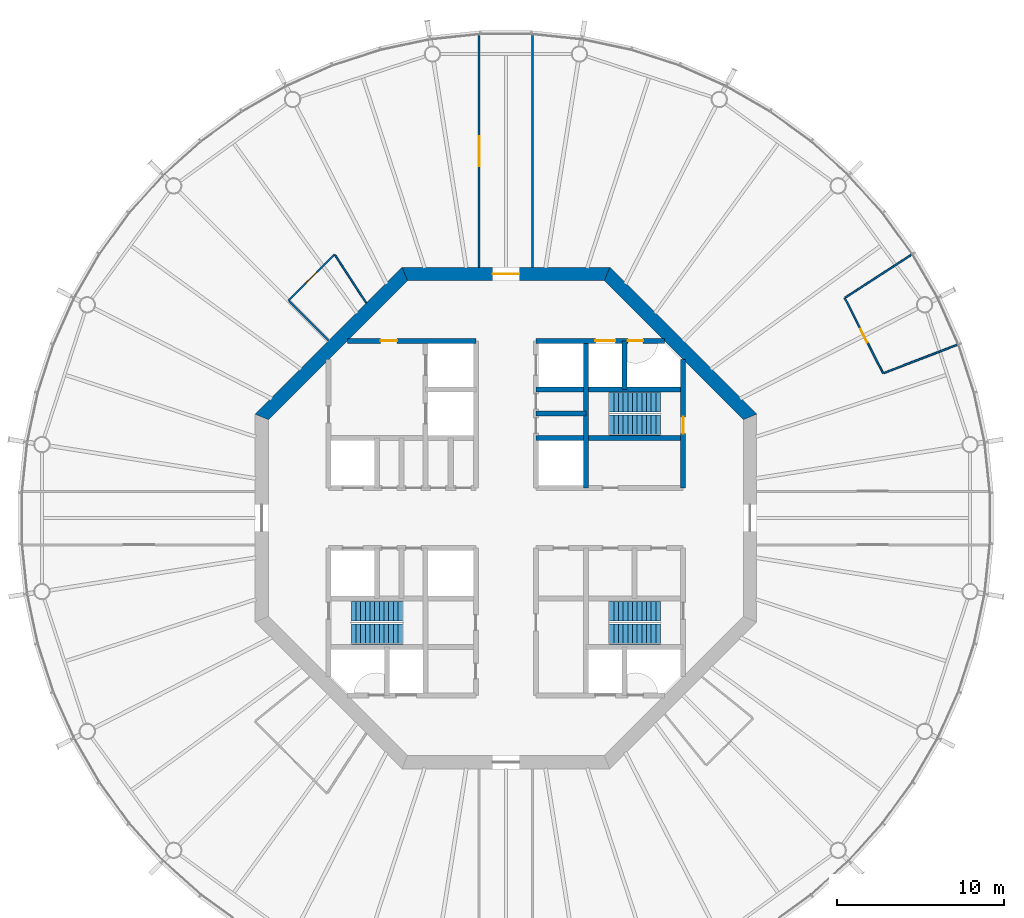
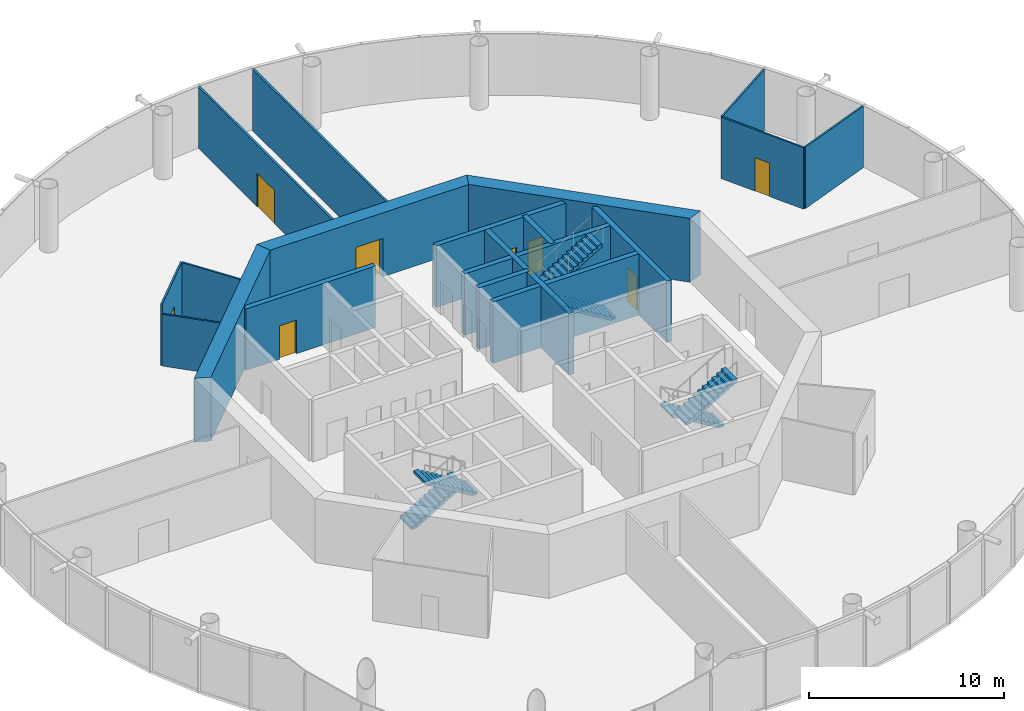
# One storey, part 5 of 16: 19 walls, 8 doors, 6 stair flights, 8 openings, 3 elements without a shape of their own.
"""IFC4 building model written with IfcOpenShell, lengths in metres."""

from ifc_helpers import new_model, si_unit, direction, frame, frame_2d, origin, place, context, subcontext, project, spatial, polyline, rectangle, outline, extrude, material, layer, layer_set, type_object, element, fill, aggregate, save


model = new_model("IFC4")

# Units and contexts
model_context = context("Model", 3, precision=1e-05, world=origin(), true_north=direction((0.0, 1.0)))
body_context = subcontext(model_context, "Body", "Model", "MODEL_VIEW")
ifc_project = project(units=[si_unit("LENGTHUNIT", "METRE"), si_unit("AREAUNIT", "SQUARE_METRE"), si_unit("VOLUMEUNIT", "CUBIC_METRE"), si_unit("PLANEANGLEUNIT", "RADIAN"), si_unit("MASSUNIT", "GRAM", prefix="KILO")], contexts=[model_context])

# Site, building, storey
site_placement = place(None, origin())
site = spatial("IfcSite", under=ifc_project, at=site_placement, CompositionType="ELEMENT")
building_placement = place(site_placement, origin())
building = spatial("IfcBuilding", under=site, at=building_placement, Name="Entoto Ring Tower", CompositionType="ELEMENT")
storey_placement = place(building_placement, frame((0.0, 0.0, 326.0)))
storey = spatial("IfcBuildingStorey", under=building, at=storey_placement, Name="L75", CompositionType="ELEMENT", Elevation=326.0)

# Wall, opening, door
ifc_material_1 = material(Name="Concrete C40/50", Category="concrete")
ifc_layer_1 = layer(ifc_material_1, 0.300048828125)
ifc_layer_set_1 = layer_set([ifc_layer_1], Name="Concrete C40/50")
wall_type_1 = type_object("IfcWallType", Name="Core enclosure wall 300 mm reinforced concrete", PredefinedType="SOLIDWALL", material=ifc_layer_set_1)
wall_1_placement = place(storey_placement, frame((100.60009765625, 81.800048828125, 0.0), z_axis=(0.0, 0.0, 1.0), x_axis=(0.0, 1.0, 0.0)))
wall_1 = element("IfcWall", 1, at=wall_1_placement, inside=storey, type_object=wall_type_1, Name="wall-L75-002", PredefinedType="SOLIDWALL", context=body_context, shape_type="SweptSolid", body=[
    extrude(rectangle(XDim=7.681640625, YDim=0.300048828125, at=frame_2d((3.8408203125, 0.0))), origin(), (0.0, 0.0, 1.0), 3.85009765625),
])
opening_1_placement = place(wall_1_placement, frame((3.25, 0.0, 0.0)))
opening_1 = element("IfcOpeningElement", 2, at=opening_1_placement, cuts=wall_1, Name="Opening K-26", PredefinedType="OPENING", context=body_context, shape_type="SweptSolid", body=[
    extrude(rectangle(XDim=1.0, YDim=2.10009765625, at=frame_2d((0.5, 1.050048828125))), frame((0.0, 0.16015625, 0.0), z_axis=(0.0, -1.0, 0.0), x_axis=(1.0, 0.0, 0.0)), (0.0, 0.0, 1.0), 0.320068359375),
])
ifc_material_2 = material(Name="Steel door leaf, fire rated", Category="steel")
ifc_layer_2 = layer(ifc_material_2, 0.050048828125)
ifc_layer_set_2 = layer_set([ifc_layer_2], Name="Steel door leaf, fire rated")
door_type_1 = type_object("IfcDoorType", Name="Fire door FD60 1000 x 2100 single leaf", OperationType="NOTDEFINED", PredefinedType="DOOR", material=ifc_layer_set_2)
door_1_placement = place(opening_1_placement, origin())
door_1 = element("IfcDoor", 3, at=door_1_placement, inside=storey, type_object=door_type_1, Name="Door K-26", OperationType="SINGLE_SWING_LEFT", OverallHeight=2.10009765625, OverallWidth=1.0, PredefinedType="DOOR", context=body_context, shape_type="SweptSolid", body=[
    extrude(rectangle(XDim=1.0, YDim=2.10009765625, at=frame_2d((0.5, 1.050048828125))), frame((0.0, 0.02490234375, 0.0), z_axis=(0.0, -1.0, 0.0), x_axis=(1.0, 0.0, 0.0)), (0.0, 0.0, 1.0), 0.050048828125),
])
fill(opening_1, door_1)

# Walls
wall_2_placement = place(storey_placement, frame((97.10009765625, 87.699951171875, 0.0), z_axis=(0.0, 0.0, 1.0), x_axis=(0.0, 1.0, 0.0)))
element("IfcWall", 4, at=wall_2_placement, inside=storey, type_object=wall_type_1, Name="wall-L75-005", PredefinedType="SOLIDWALL", context=body_context, shape_type="SweptSolid", body=[
    extrude(rectangle(XDim=2.900146484375, YDim=0.300048828125, at=frame_2d((1.4501953125, 0.0))), origin(), (0.0, 0.0, 1.0), 3.85009765625),
])
for number, where, z_axis, x_axis, name in (
    (5, (94.800048828125, 81.800048828125, 0.0), (0.0, 0.0, 1.0), (0.0, 1.0, 0.0), "wall-L75-007"),
    (6, (91.800048828125, 84.800048828125, 0.0), (0.0, 0.0, 1.0), (1.0, 0.0, 0.0), "wall-L75-033"),
):
    element("IfcWall", number, at=place(storey_placement, frame(where, z_axis=z_axis, x_axis=x_axis)), inside=storey, type_object=wall_type_1, Name=name, PredefinedType="SOLIDWALL", context=body_context, shape_type="SweptSolid", body=[
        extrude(rectangle(XDim=8.800048828125, YDim=0.300048828125, at=frame_2d((4.39990234375, 0.0))), origin(), (0.0, 0.0, 1.0), 3.85009765625),
    ])
wall_3_placement = place(storey_placement, frame((91.800048828125, 86.25, 0.0), z_axis=(0.0, 0.0, 1.0), x_axis=(1.0, 0.0, 0.0)))
element("IfcWall", 7, at=wall_3_placement, inside=storey, type_object=wall_type_1, Name="wall-L75-034", PredefinedType="SOLIDWALL", context=body_context, shape_type="SweptSolid", body=[
    extrude(rectangle(XDim=3.0, YDim=0.300048828125, at=frame_2d((1.5, 0.0))), origin(), (0.0, 0.0, 1.0), 3.85009765625),
])
wall_4_placement = place(storey_placement, frame((91.800048828125, 87.699951171875, 0.0), z_axis=(0.0, 0.0, 1.0), x_axis=(1.0, 0.0, 0.0)))
element("IfcWall", 8, at=wall_4_placement, inside=storey, type_object=wall_type_1, Name="wall-L75-036", PredefinedType="SOLIDWALL", context=body_context, shape_type="SweptSolid", body=[
    extrude(rectangle(XDim=8.800048828125, YDim=0.300048828125, at=frame_2d((4.39990234375, 0.0))), origin(), (0.0, 0.0, 1.0), 3.85009765625),
])

# Wall, opening, door
wall_5_placement = place(storey_placement, frame((80.518310546875, 90.60009765625, 0.0), z_axis=(0.0, 0.0, 1.0), x_axis=(1.0, 0.0, 0.0)))
wall_5 = element("IfcWall", 9, at=wall_5_placement, inside=storey, type_object=wall_type_1, Name="wall-L75-037", PredefinedType="SOLIDWALL", context=body_context, shape_type="SweptSolid", body=[
    extrude(rectangle(XDim=7.681640625, YDim=0.300048828125, at=frame_2d((3.8408203125, 0.0))), origin(), (0.0, 0.0, 1.0), 3.85009765625),
])
opening_2_placement = place(wall_5_placement, frame((1.981689453125, 0.0, 0.0)))
opening_2 = element("IfcOpeningElement", 10, at=opening_2_placement, cuts=wall_5, Name="Opening K-87", PredefinedType="OPENING", context=body_context, shape_type="SweptSolid", body=[
    extrude(rectangle(XDim=1.0, YDim=2.10009765625, at=frame_2d((0.5, 1.050048828125))), frame((0.0, 0.16015625, 0.0), z_axis=(0.0, -1.0, 0.0), x_axis=(1.0, 0.0, 0.0)), (0.0, 0.0, 1.0), 0.320068359375),
])
door_2_placement = place(opening_2_placement, frame((1.0, 0.0, 0.0), z_axis=(0.0, 0.0, 1.0), x_axis=(-1.0, 0.0, 0.0)))
door_2 = element("IfcDoor", 11, at=door_2_placement, inside=storey, type_object=door_type_1, Name="Door K-87", OperationType="SINGLE_SWING_LEFT", OverallHeight=2.10009765625, OverallWidth=1.0, PredefinedType="DOOR", context=body_context, shape_type="SweptSolid", body=[
    extrude(rectangle(XDim=1.0, YDim=2.10009765625, at=frame_2d((0.5, 1.050048828125))), frame((0.0, 0.02490234375, 0.0), z_axis=(0.0, -1.0, 0.0), x_axis=(1.0, 0.0, 0.0)), (0.0, 0.0, 1.0), 0.050048828125),
])
fill(opening_2, door_2)

# Wall, openings, doors
wall_6_placement = place(storey_placement, frame((91.800048828125, 90.60009765625, 0.0), z_axis=(0.0, 0.0, 1.0), x_axis=(1.0, 0.0, 0.0)))
wall_6 = element("IfcWall", 12, at=wall_6_placement, inside=storey, type_object=wall_type_1, Name="wall-L75-038", PredefinedType="SOLIDWALL", context=body_context, shape_type="SweptSolid", body=[
    extrude(rectangle(XDim=7.681640625, YDim=0.300048828125, at=frame_2d((3.8408203125, 0.0))), origin(), (0.0, 0.0, 1.0), 3.85009765625),
])
opening_3_placement = place(wall_6_placement, frame((3.550048828125, 0.0, 0.0)))
opening_3 = element("IfcOpeningElement", 13, at=opening_3_placement, cuts=wall_6, Name="Opening LD", PredefinedType="OPENING", context=body_context, shape_type="SweptSolid", body=[
    extrude(rectangle(XDim=1.199951171875, YDim=2.10009765625, at=frame_2d((0.60009765625, 1.050048828125))), frame((0.0, 0.16015625, 0.0), z_axis=(0.0, -1.0, 0.0), x_axis=(1.0, 0.0, 0.0)), (0.0, 0.0, 1.0), 0.320068359375),
])
opening_4_placement = place(wall_6_placement, frame((5.5, 0.0, 0.0)))
opening_4 = element("IfcOpeningElement", 14, at=opening_4_placement, cuts=wall_6, Name="Opening K-83", PredefinedType="OPENING", context=body_context, shape_type="SweptSolid", body=[
    extrude(rectangle(XDim=0.89990234375, YDim=2.10009765625, at=frame_2d((0.449951171875, 1.050048828125))), frame((0.0, 0.16015625, 0.0), z_axis=(0.0, -1.0, 0.0), x_axis=(1.0, 0.0, 0.0)), (0.0, 0.0, 1.0), 0.320068359375),
])
ifc_material_3 = material(Name="Steel and glass door leaf", Category="steel")
ifc_layer_3 = layer(ifc_material_3, 0.050048828125)
ifc_layer_set_3 = layer_set([ifc_layer_3], Name="Steel and glass door leaf")
door_type_2 = type_object("IfcDoorType", Name="Landing door 1200 x 2100 sliding", OperationType="DOUBLE_DOOR_SLIDING", PredefinedType="DOOR", material=ifc_layer_set_3)
door_3_placement = place(opening_3_placement, origin())
door_3 = element("IfcDoor", 15, at=door_3_placement, inside=storey, type_object=door_type_2, Name="Landing door LB1-HR", OperationType="SLIDING_TO_RIGHT", OverallHeight=2.10009765625, OverallWidth=1.199951171875, PredefinedType="DOOR", context=body_context, shape_type="SweptSolid", body=[
    extrude(rectangle(XDim=1.199951171875, YDim=2.10009765625, at=frame_2d((0.60009765625, 1.050048828125))), frame((0.0, 0.02490234375, 0.0), z_axis=(0.0, -1.0, 0.0), x_axis=(1.0, 0.0, 0.0)), (0.0, 0.0, 1.0), 0.050048828125),
])
fill(opening_3, door_3)
ifc_material_4 = material(Name="Steel door leaf, fire rated", Category="steel")
ifc_layer_4 = layer(ifc_material_4, 0.050048828125)
ifc_layer_set_4 = layer_set([ifc_layer_4], Name="Steel door leaf, fire rated")
door_type_3 = type_object("IfcDoorType", Name="Riser door FD60 900 x 2100 single leaf", OperationType="NOTDEFINED", PredefinedType="DOOR", material=ifc_layer_set_4)
door_4_placement = place(opening_4_placement, frame((0.89990234375, 0.0, 0.0), z_axis=(0.0, 0.0, 1.0), x_axis=(-1.0, 0.0, 0.0)))
door_4 = element("IfcDoor", 16, at=door_4_placement, inside=storey, type_object=door_type_3, Name="Door K-83", OperationType="SINGLE_SWING_RIGHT", OverallHeight=2.10009765625, OverallWidth=0.89990234375, PredefinedType="DOOR", context=body_context, shape_type="SweptSolid", body=[
    extrude(rectangle(XDim=0.89990234375, YDim=2.10009765625, at=frame_2d((0.449951171875, 1.050048828125))), frame((0.0, 0.02490234375, 0.0), z_axis=(0.0, -1.0, 0.0), x_axis=(1.0, 0.0, 0.0)), (0.0, 0.0, 1.0), 0.050048828125),
])
fill(opening_4, door_4)

# Wall
ifc_material_5 = material(Name="Concrete C40/50", Category="concrete")
ifc_layer_5 = layer(ifc_material_5, 0.800048828125)
ifc_layer_set_5 = layer_set([ifc_layer_5], Name="Concrete C40/50")
wall_type_2 = type_object("IfcWallType", Name="Core shear wall 800 mm reinforced concrete C40/50", PredefinedType="SHEAR", material=ifc_layer_set_5)
wall_7_placement = place(storey_placement, frame((104.60009765625, 86.047607421875, 0.0), z_axis=(0.0, 0.0, 1.0), x_axis=(-0.707106781187, 0.707106781187, 0.0)))
element("IfcWall", 17, at=wall_7_placement, inside=storey, type_object=wall_type_2, Name="wall-L75-core-1", PredefinedType="SHEAR", context=body_context, shape_type="SweptSolid", body=[
    extrude(outline(polyline([(-0.165771484375, -0.39990234375), (12.2607421875, -0.39990234375), (11.92919921875, 0.39990234375), (0.165771484375, 0.39990234375), (-0.165771484375, -0.39990234375)])), origin(), (0.0, 0.0, 1.0), 4.0),
])

# Wall, opening, door
wall_8_placement = place(storey_placement, frame((96.047607421875, 94.60009765625, 0.0), z_axis=(0.0, 0.0, 1.0), x_axis=(-1.0, 0.0, 0.0)))
wall_8 = element("IfcWall", 18, at=wall_8_placement, inside=storey, type_object=wall_type_2, Name="wall-L75-core-2", PredefinedType="SHEAR", context=body_context, shape_type="SweptSolid", body=[
    extrude(outline(polyline([(-0.165771484375, -0.39990234375), (12.260986328125, -0.39990234375), (11.929443359375, 0.39990234375), (0.165771484375, 0.39990234375), (-0.165771484375, -0.39990234375)])), origin(), (0.0, 0.0, 1.0), 4.0),
])
opening_5_placement = place(wall_8_placement, frame((5.24755859375, 0.0, 0.0)))
opening_5 = element("IfcOpeningElement", 19, at=opening_5_placement, cuts=wall_8, Name="Opening K-02", PredefinedType="OPENING", context=body_context, shape_type="SweptSolid", body=[
    extrude(rectangle(XDim=1.60009765625, YDim=2.39990234375, at=frame_2d((0.800048828125, 1.199951171875))), frame((0.0, 0.41015625, 0.0), z_axis=(0.0, -1.0, 0.0), x_axis=(1.0, 0.0, 0.0)), (0.0, 0.0, 1.0), 0.820068359375),
])
ifc_material_6 = material(Name="Steel door leaf, fire rated", Category="steel")
ifc_layer_6 = layer(ifc_material_6, 0.050048828125)
ifc_layer_set_6 = layer_set([ifc_layer_6], Name="Steel door leaf, fire rated")
door_type_4 = type_object("IfcDoorType", Name="Entrance door FD60 1600 x 2400 double leaf", OperationType="DOUBLE_DOOR_SINGLE_SWING", PredefinedType="DOOR", material=ifc_layer_set_6)
door_5_placement = place(opening_5_placement, origin())
door_5 = element("IfcDoor", 20, at=door_5_placement, inside=storey, type_object=door_type_4, Name="Entrance door K-02", OperationType="DOUBLE_DOOR_SINGLE_SWING", OverallHeight=2.39990234375, OverallWidth=1.60009765625, PredefinedType="DOOR", context=body_context, shape_type="SweptSolid", body=[
    extrude(rectangle(XDim=1.60009765625, YDim=2.39990234375, at=frame_2d((0.800048828125, 1.199951171875))), frame((0.0, 0.02490234375, 0.0), z_axis=(0.0, -1.0, 0.0), x_axis=(1.0, 0.0, 0.0)), (0.0, 0.0, 1.0), 0.050048828125),
])
fill(opening_5, door_5)

# Wall
wall_9_placement = place(storey_placement, frame((83.952392578125, 94.60009765625, 0.0), z_axis=(0.0, 0.0, 1.0), x_axis=(-0.707106781187, -0.707106781187, 0.0)))
element("IfcWall", 21, at=wall_9_placement, inside=storey, type_object=wall_type_2, Name="wall-L75-core-3", PredefinedType="SHEAR", context=body_context, shape_type="SweptSolid", body=[
    extrude(outline(polyline([(-0.165771484375, -0.39990234375), (12.2607421875, -0.39990234375), (11.92919921875, 0.39990234375), (0.165771484375, 0.39990234375), (-0.165771484375, -0.39990234375)])), origin(), (0.0, 0.0, 1.0), 4.0),
])

# Wall, opening, door
ifc_material_7 = material(Name="Fire-resisting plasterboard on steel studs", Category="steel")
ifc_layer_7 = layer(ifc_material_7, 0.125)
ifc_layer_set_7 = layer_set([ifc_layer_7], Name="Fire-resisting plasterboard on steel studs")
wall_type_3 = type_object("IfcWallType", Name="Corridor wall 125 mm one-hour plasterboard on steel studs", PredefinedType="PARTITIONING", material=ifc_layer_set_7)
wall_10_placement = place(storey_placement, frame((88.39990234375, 95.0, 0.0), z_axis=(0.0, 0.0, 1.0), x_axis=(0.0, 1.0, 0.0)))
wall_10 = element("IfcWall", 22, at=wall_10_placement, inside=storey, type_object=wall_type_3, Name="partition-L75-004", PredefinedType="PARTITIONING", context=body_context, shape_type="SweptSolid", body=[
    extrude(rectangle(XDim=13.891357421875, YDim=0.125, at=frame_2d((6.94580078125, 0.0))), origin(), (0.0, 0.0, 1.0), 3.85009765625),
])
opening_6_placement = place(wall_10_placement, frame((6.045654296875, 0.0, 0.0)))
opening_6 = element("IfcOpeningElement", 23, at=opening_6_placement, cuts=wall_10, Name="Opening A32-D03", PredefinedType="OPENING", context=body_context, shape_type="SweptSolid", body=[
    extrude(rectangle(XDim=1.800048828125, YDim=2.10009765625, at=frame_2d((0.89990234375, 1.050048828125))), frame((0.0, 0.072509765625, 0.0), z_axis=(0.0, -1.0, 0.0), x_axis=(1.0, 0.0, 0.0)), (0.0, 0.0, 1.0), 0.14501953125),
])
ifc_material_8 = material(Name="Fire-resisting timber door set", Category="wood")
door_type_5 = type_object("IfcDoorType", Name="Door 1800 x 2100 double leaf FD30S fire door", OperationType="DOUBLE_DOOR_SINGLE_SWING", PredefinedType="DOOR", material=ifc_material_8)
door_6_placement = place(opening_6_placement, origin())
door_6 = element("IfcDoor", 24, at=door_6_placement, inside=storey, type_object=door_type_5, Name="Door A32-D03", OperationType="DOUBLE_DOOR_SINGLE_SWING", OverallHeight=2.10009765625, OverallWidth=1.800048828125, PredefinedType="DOOR", context=body_context, shape_type="SweptSolid", body=[
    extrude(rectangle(XDim=1.800048828125, YDim=2.10009765625, at=frame_2d((0.89990234375, 1.050048828125))), frame((0.0, 0.02490234375, 0.0), z_axis=(0.0, -1.0, 0.0), x_axis=(1.0, 0.0, 0.0)), (0.0, 0.0, 1.0), 0.050048828125),
])
fill(opening_6, door_6)

# Wall
wall_11_placement = place(storey_placement, frame((91.60009765625, 95.0, 0.0), z_axis=(0.0, 0.0, 1.0), x_axis=(0.0, 1.0, 0.0)))
element("IfcWall", 25, at=wall_11_placement, inside=storey, type_object=wall_type_3, Name="partition-L75-006", PredefinedType="PARTITIONING", context=body_context, shape_type="SweptSolid", body=[
    extrude(rectangle(XDim=13.891357421875, YDim=0.125, at=frame_2d((6.94580078125, 0.0))), origin(), (0.0, 0.0, 1.0), 3.85009765625),
])

# Wall, opening, door
ifc_material_9 = material(Name="Plasterboard on steel studs", Category="steel")
ifc_layer_8 = layer(ifc_material_9, 0.10009765625)
ifc_layer_set_8 = layer_set([ifc_layer_8], Name="Plasterboard on steel studs")
wall_type_4 = type_object("IfcWallType", Name="Partition 100 mm plasterboard on steel studs", PredefinedType="PARTITIONING", material=ifc_layer_set_8)
wall_12_placement = place(storey_placement, frame((112.555419921875, 88.658203125, 0.0), z_axis=(0.0, 0.0, 1.0), x_axis=(-0.454025703355, 0.890988586175, 0.0)))
wall_12 = element("IfcWall", 26, at=wall_12_placement, inside=storey, type_object=wall_type_4, Name="partition-L75-010", PredefinedType="PARTITIONING", context=body_context, shape_type="SweptSolid", body=[
    extrude(rectangle(XDim=5.05078125, YDim=0.10009765625, at=frame_2d((2.525390625, 0.0))), origin(), (0.0, 0.0, 1.0), 3.85009765625),
])
opening_7_placement = place(wall_12_placement, frame((2.075439453125, 0.0, 0.0)))
opening_7 = element("IfcOpeningElement", 27, at=opening_7_placement, cuts=wall_12, Name="Opening A32-D02", PredefinedType="OPENING", context=body_context, shape_type="SweptSolid", body=[
    extrude(rectangle(XDim=0.89990234375, YDim=2.10009765625, at=frame_2d((0.449951171875, 1.050048828125))), frame((0.0, 0.06005859375, 0.0), z_axis=(0.0, -1.0, 0.0), x_axis=(1.0, 0.0, 0.0)), (0.0, 0.0, 1.0), 0.1201171875),
])
ifc_material_10 = material(Name="Veneered timber door leaf in timber frame", Category="wood")
door_type_6 = type_object("IfcDoorType", Name="Door 900 x 2100 single leaf timber veneer", OperationType="NOTDEFINED", PredefinedType="DOOR", material=ifc_material_10)
door_7_placement = place(opening_7_placement, frame((0.89990234375, 0.0, 0.0), z_axis=(0.0, 0.0, 1.0), x_axis=(-1.0, 0.0, 0.0)))
door_7 = element("IfcDoor", 28, at=door_7_placement, inside=storey, type_object=door_type_6, Name="Door A32-D02", OperationType="SINGLE_SWING_LEFT", OverallHeight=2.10009765625, OverallWidth=0.89990234375, PredefinedType="DOOR", context=body_context, shape_type="SweptSolid", body=[
    extrude(rectangle(XDim=0.89990234375, YDim=2.10009765625, at=frame_2d((0.449951171875, 1.050048828125))), frame((0.0, 0.02490234375, 0.0), z_axis=(0.0, -1.0, 0.0), x_axis=(1.0, 0.0, 0.0)), (0.0, 0.0, 1.0), 0.050048828125),
])
fill(opening_7, door_7)

# Walls
for number, where, z_axis, x_axis, name in (
    (29, (112.601806640625, 88.676025390625, 0.0), (0.0, 0.0, 1.0), (0.933586170885, 0.358352984545, 0.0), "partition-L75-011"),
    (30, (110.303955078125, 93.185546875, 0.0), (0.0, 0.0, 1.0), (0.838652272687, 0.544667206207, 0.0), "partition-L75-012"),
):
    element("IfcWall", number, at=place(storey_placement, frame(where, z_axis=z_axis, x_axis=x_axis)), inside=storey, type_object=wall_type_4, Name=name, PredefinedType="PARTITIONING", context=body_context, shape_type="SweptSolid", body=[
        extrude(rectangle(XDim=4.730224609375, YDim=0.10009765625, at=frame_2d((2.365234375, 0.0))), origin(), (0.0, 0.0, 1.0), 3.85009765625),
    ])

# Wall, opening, door
wall_13_placement = place(storey_placement, frame((76.9892578125, 93.0107421875, 0.0), z_axis=(0.0, 0.0, 1.0), x_axis=(0.707106781187, 0.707106781187, 0.0)))
wall_13 = element("IfcWall", 31, at=wall_13_placement, inside=storey, type_object=wall_type_4, Name="partition-L75-018", PredefinedType="PARTITIONING", context=body_context, shape_type="SweptSolid", body=[
    extrude(rectangle(XDim=3.9111328125, YDim=0.10009765625, at=frame_2d((1.95556640625, 0.0))), origin(), (0.0, 0.0, 1.0), 3.85009765625),
])
opening_8_placement = place(wall_13_placement, frame((1.505615234375, 0.0, 0.0)))
opening_8 = element("IfcOpeningElement", 32, at=opening_8_placement, cuts=wall_13, Name="Opening A32-D04", PredefinedType="OPENING", context=body_context, shape_type="SweptSolid", body=[
    extrude(rectangle(XDim=0.89990234375, YDim=2.10009765625, at=frame_2d((0.449951171875, 1.050048828125))), frame((0.0, 0.06005859375, 0.0), z_axis=(0.0, -1.0, 0.0), x_axis=(1.0, 0.0, 0.0)), (0.0, 0.0, 1.0), 0.1201171875),
])
door_8_placement = place(opening_8_placement, frame((0.89990234375, 0.0, 0.0), z_axis=(0.0, 0.0, 1.0), x_axis=(-1.0, 0.0, 0.0)))
door_8 = element("IfcDoor", 33, at=door_8_placement, inside=storey, type_object=door_type_6, Name="Door A32-D04", OperationType="SINGLE_SWING_LEFT", OverallHeight=2.10009765625, OverallWidth=0.89990234375, PredefinedType="DOOR", context=body_context, shape_type="SweptSolid", body=[
    extrude(rectangle(XDim=0.89990234375, YDim=2.10009765625, at=frame_2d((0.449951171875, 1.050048828125))), frame((0.0, 0.02490234375, 0.0), z_axis=(0.0, -1.0, 0.0), x_axis=(1.0, 0.0, 0.0)), (0.0, 0.0, 1.0), 0.050048828125),
])
fill(opening_8, door_8)

# Walls
wall_14_placement = place(storey_placement, frame((81.64794921875, 92.861083984375, 0.0), z_axis=(0.0, 0.0, 1.0), x_axis=(-0.544643980834, 0.838667356072, 0.0)))
element("IfcWall", 34, at=wall_14_placement, inside=storey, type_object=wall_type_4, Name="partition-L75-019", PredefinedType="PARTITIONING", context=body_context, shape_type="SweptSolid", body=[
    extrude(rectangle(XDim=3.414306640625, YDim=0.10009765625, at=frame_2d((1.70703125, 0.0))), origin(), (0.0, 0.0, 1.0), 3.85009765625),
])
ifc_material_11 = material(Name="Plasterboard on steel studs", Category="steel")
ifc_layer_9 = layer(ifc_material_11, 0.10009765625)
ifc_layer_set_9 = layer_set([ifc_layer_9], Name="Plasterboard on steel studs")
wall_type_5 = type_object("IfcWallType", Name="Partition 100 mm plasterboard on steel studs, 3250 mm high", PredefinedType="PARTITIONING", material=ifc_layer_set_9)
wall_15_placement = place(storey_placement, frame((79.393310546875, 90.606689453125, 0.0), z_axis=(0.0, 0.0, 1.0), x_axis=(-0.707106781187, 0.707106781187, 0.0)))
element("IfcWall", 35, at=wall_15_placement, inside=storey, type_object=wall_type_5, Name="partition-L75-020", PredefinedType="PARTITIONING", context=body_context, shape_type="SweptSolid", body=[
    extrude(rectangle(XDim=3.349853515625, YDim=0.10009765625, at=frame_2d((1.6748046875, 0.0))), origin(), (0.0, 0.0, 1.0), 3.25),
])

# Stair, stair flights
ifc_material_12 = material(Name="Concrete C40/50", Category="concrete")
stair_type = type_object("IfcStairType", Name="Exit stair 1200 mm dog-leg reinforced concrete", PredefinedType="HALF_TURN_STAIR", material=ifc_material_12)
stair_1_placement = place(storey_placement, origin())
stair_1 = element("IfcStair", 36, at=stair_1_placement, inside=storey, type_object=stair_type, Name="Exit stair 1", PredefinedType="HALF_TURN_STAIR")
ifc_material_13 = material(Name="Concrete C40/50", Category="concrete")
stair_flight_type = type_object("IfcStairFlightType", Name="Stair flight 1200 mm reinforced concrete", PredefinedType="STRAIGHT", material=ifc_material_13)
stair_flight_1_placement = place(storey_placement, frame((99.25, 85.550048828125, 0.0), z_axis=(0.0, 0.0, 1.0), x_axis=(-1.0, 0.0, 0.0)))
stair_flight_1 = element("IfcStairFlight", 37, at=stair_flight_1_placement, type_object=stair_flight_type, Name="ST1 flight 1", NumberOfRisers=12, NumberOfTreads=11, PredefinedType="STRAIGHT", RiserHeight=0.166666667, TreadLength=0.28, context=body_context, shape_type="SweptSolid", body=[
    extrude(outline(polyline([(0.0, 0.0), (0.0, 0.166748046875), (0.280029296875, 0.166748046875), (0.280029296875, 0.333251953125), (0.56005859375, 0.333251953125), (0.56005859375, 0.5), (0.840087890625, 0.5), (0.840087890625, 0.666748046875), (1.1201171875, 0.666748046875), (1.1201171875, 0.833251953125), (1.39990234375, 0.833251953125), (1.39990234375, 1.0), (1.679931640625, 1.0), (1.679931640625, 1.166748046875), (1.9599609375, 1.166748046875), (1.9599609375, 1.333251953125), (2.239990234375, 1.333251953125), (2.239990234375, 1.5), (2.52001953125, 1.5), (2.52001953125, 1.666748046875), (2.800048828125, 1.666748046875), (2.800048828125, 1.833251953125), (3.080078125, 1.833251953125), (3.080078125, 2.0), (3.080078125, 1.658935546875), (0.29296875, 0.0), (0.0, 0.0)])), frame((0.0, 0.60009765625, 0.0), z_axis=(0.0, -1.0, 0.0), x_axis=(1.0, 0.0, 0.0)), (0.0, 0.0, 1.0), 1.199951171875),
])
stair_flight_2_placement = place(storey_placement, frame((96.169921875, 86.949951171875, 2.0), z_axis=(0.0, 0.0, 1.0), x_axis=(1.0, 0.0, 0.0)))
stair_flight_2 = element("IfcStairFlight", 38, at=stair_flight_2_placement, type_object=stair_flight_type, Name="ST1 flight 2", NumberOfRisers=12, NumberOfTreads=11, PredefinedType="STRAIGHT", RiserHeight=0.166666667, TreadLength=0.28, context=body_context, shape_type="SweptSolid", body=[
    extrude(outline(polyline([(0.0, 0.0), (0.0, 0.166748046875), (0.280029296875, 0.166748046875), (0.280029296875, 0.333251953125), (0.56005859375, 0.333251953125), (0.56005859375, 0.5), (0.840087890625, 0.5), (0.840087890625, 0.666748046875), (1.1201171875, 0.666748046875), (1.1201171875, 0.833251953125), (1.39990234375, 0.833251953125), (1.39990234375, 1.0), (1.679931640625, 1.0), (1.679931640625, 1.166748046875), (1.9599609375, 1.166748046875), (1.9599609375, 1.333251953125), (2.239990234375, 1.333251953125), (2.239990234375, 1.5), (2.52001953125, 1.5), (2.52001953125, 1.666748046875), (2.800048828125, 1.666748046875), (2.800048828125, 1.833251953125), (3.080078125, 1.833251953125), (3.080078125, 2.0), (3.080078125, 1.658935546875), (0.29296875, 0.0), (0.0, 0.0)])), frame((0.0, 0.60009765625, 0.0), z_axis=(0.0, -1.0, 0.0), x_axis=(1.0, 0.0, 0.0)), (0.0, 0.0, 1.0), 1.199951171875),
])
aggregate(stair_1, [stair_flight_1, stair_flight_2])

stair_2_placement = place(storey_placement, origin())
stair_2 = element("IfcStair", 39, at=stair_2_placement, inside=storey, type_object=stair_type, Name="Exit stair 2", PredefinedType="HALF_TURN_STAIR")
stair_flight_3_placement = place(storey_placement, frame((80.75, 74.449951171875, 0.0), z_axis=(0.0, 0.0, 1.0), x_axis=(1.0, 0.0, 0.0)))
stair_flight_3 = element("IfcStairFlight", 40, at=stair_flight_3_placement, type_object=stair_flight_type, Name="ST2 flight 1", NumberOfRisers=12, NumberOfTreads=11, PredefinedType="STRAIGHT", RiserHeight=0.166666667, TreadLength=0.28, context=body_context, shape_type="SweptSolid", body=[
    extrude(outline(polyline([(0.0, 0.0), (0.0, 0.166748046875), (0.280029296875, 0.166748046875), (0.280029296875, 0.333251953125), (0.56005859375, 0.333251953125), (0.56005859375, 0.5), (0.840087890625, 0.5), (0.840087890625, 0.666748046875), (1.1201171875, 0.666748046875), (1.1201171875, 0.833251953125), (1.39990234375, 0.833251953125), (1.39990234375, 1.0), (1.679931640625, 1.0), (1.679931640625, 1.166748046875), (1.9599609375, 1.166748046875), (1.9599609375, 1.333251953125), (2.239990234375, 1.333251953125), (2.239990234375, 1.5), (2.52001953125, 1.5), (2.52001953125, 1.666748046875), (2.800048828125, 1.666748046875), (2.800048828125, 1.833251953125), (3.080078125, 1.833251953125), (3.080078125, 2.0), (3.080078125, 1.658935546875), (0.29296875, 0.0), (0.0, 0.0)])), frame((0.0, 0.60009765625, 0.0), z_axis=(0.0, -1.0, 0.0), x_axis=(1.0, 0.0, 0.0)), (0.0, 0.0, 1.0), 1.199951171875),
])
stair_flight_4_placement = place(storey_placement, frame((83.830078125, 73.050048828125, 2.0), z_axis=(0.0, 0.0, 1.0), x_axis=(-1.0, 0.0, 0.0)))
stair_flight_4 = element("IfcStairFlight", 41, at=stair_flight_4_placement, type_object=stair_flight_type, Name="ST2 flight 2", NumberOfRisers=12, NumberOfTreads=11, PredefinedType="STRAIGHT", RiserHeight=0.166666667, TreadLength=0.28, context=body_context, shape_type="SweptSolid", body=[
    extrude(outline(polyline([(0.0, 0.0), (0.0, 0.166748046875), (0.280029296875, 0.166748046875), (0.280029296875, 0.333251953125), (0.56005859375, 0.333251953125), (0.56005859375, 0.5), (0.840087890625, 0.5), (0.840087890625, 0.666748046875), (1.1201171875, 0.666748046875), (1.1201171875, 0.833251953125), (1.39990234375, 0.833251953125), (1.39990234375, 1.0), (1.679931640625, 1.0), (1.679931640625, 1.166748046875), (1.9599609375, 1.166748046875), (1.9599609375, 1.333251953125), (2.239990234375, 1.333251953125), (2.239990234375, 1.5), (2.52001953125, 1.5), (2.52001953125, 1.666748046875), (2.800048828125, 1.666748046875), (2.800048828125, 1.833251953125), (3.080078125, 1.833251953125), (3.080078125, 2.0), (3.080078125, 1.658935546875), (0.29296875, 0.0), (0.0, 0.0)])), frame((0.0, 0.60009765625, 0.0), z_axis=(0.0, -1.0, 0.0), x_axis=(1.0, 0.0, 0.0)), (0.0, 0.0, 1.0), 1.199951171875),
])
aggregate(stair_2, [stair_flight_3, stair_flight_4])

stair_3_placement = place(storey_placement, origin())
stair_3 = element("IfcStair", 42, at=stair_3_placement, inside=storey, type_object=stair_type, Name="Exit stair 3", PredefinedType="HALF_TURN_STAIR")
stair_flight_5_placement = place(storey_placement, frame((99.25, 74.449951171875, 0.0), z_axis=(0.0, 0.0, 1.0), x_axis=(-1.0, 0.0, 0.0)))
stair_flight_5 = element("IfcStairFlight", 43, at=stair_flight_5_placement, type_object=stair_flight_type, Name="ST3 flight 1", NumberOfRisers=12, NumberOfTreads=11, PredefinedType="STRAIGHT", RiserHeight=0.166666667, TreadLength=0.28, context=body_context, shape_type="SweptSolid", body=[
    extrude(outline(polyline([(0.0, 0.0), (0.0, 0.166748046875), (0.280029296875, 0.166748046875), (0.280029296875, 0.333251953125), (0.56005859375, 0.333251953125), (0.56005859375, 0.5), (0.840087890625, 0.5), (0.840087890625, 0.666748046875), (1.1201171875, 0.666748046875), (1.1201171875, 0.833251953125), (1.39990234375, 0.833251953125), (1.39990234375, 1.0), (1.679931640625, 1.0), (1.679931640625, 1.166748046875), (1.9599609375, 1.166748046875), (1.9599609375, 1.333251953125), (2.239990234375, 1.333251953125), (2.239990234375, 1.5), (2.52001953125, 1.5), (2.52001953125, 1.666748046875), (2.800048828125, 1.666748046875), (2.800048828125, 1.833251953125), (3.080078125, 1.833251953125), (3.080078125, 2.0), (3.080078125, 1.658935546875), (0.29296875, 0.0), (0.0, 0.0)])), frame((0.0, 0.60009765625, 0.0), z_axis=(0.0, -1.0, 0.0), x_axis=(1.0, 0.0, 0.0)), (0.0, 0.0, 1.0), 1.199951171875),
])
stair_flight_6_placement = place(storey_placement, frame((96.169921875, 73.050048828125, 2.0), z_axis=(0.0, 0.0, 1.0), x_axis=(1.0, 0.0, 0.0)))
stair_flight_6 = element("IfcStairFlight", 44, at=stair_flight_6_placement, type_object=stair_flight_type, Name="ST3 flight 2", NumberOfRisers=12, NumberOfTreads=11, PredefinedType="STRAIGHT", RiserHeight=0.166666667, TreadLength=0.28, context=body_context, shape_type="SweptSolid", body=[
    extrude(outline(polyline([(0.0, 0.0), (0.0, 0.166748046875), (0.280029296875, 0.166748046875), (0.280029296875, 0.333251953125), (0.56005859375, 0.333251953125), (0.56005859375, 0.5), (0.840087890625, 0.5), (0.840087890625, 0.666748046875), (1.1201171875, 0.666748046875), (1.1201171875, 0.833251953125), (1.39990234375, 0.833251953125), (1.39990234375, 1.0), (1.679931640625, 1.0), (1.679931640625, 1.166748046875), (1.9599609375, 1.166748046875), (1.9599609375, 1.333251953125), (2.239990234375, 1.333251953125), (2.239990234375, 1.5), (2.52001953125, 1.5), (2.52001953125, 1.666748046875), (2.800048828125, 1.666748046875), (2.800048828125, 1.833251953125), (3.080078125, 1.833251953125), (3.080078125, 2.0), (3.080078125, 1.658935546875), (0.29296875, 0.0), (0.0, 0.0)])), frame((0.0, 0.60009765625, 0.0), z_axis=(0.0, -1.0, 0.0), x_axis=(1.0, 0.0, 0.0)), (0.0, 0.0, 1.0), 1.199951171875),
])
aggregate(stair_3, [stair_flight_5, stair_flight_6])

save(model, "model.ifc")
